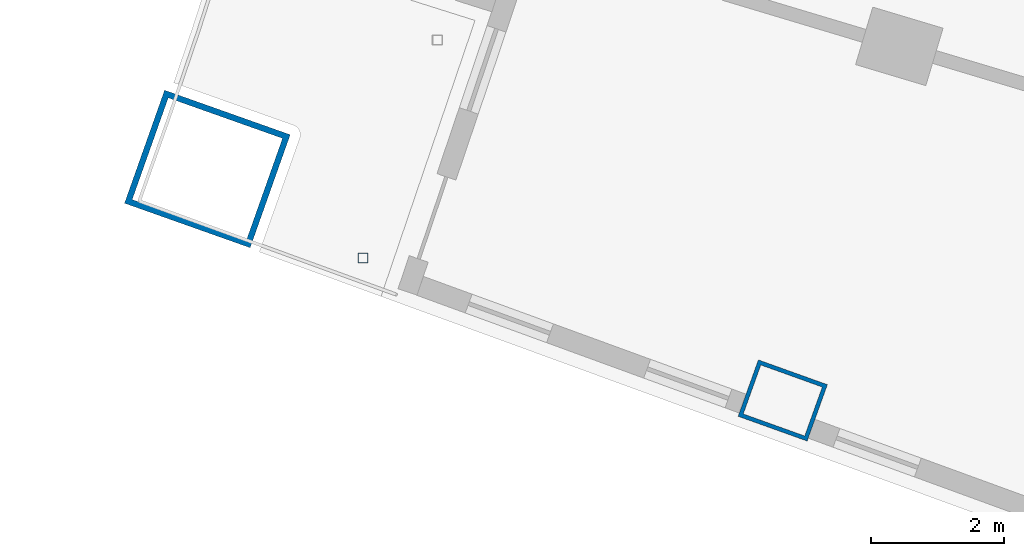
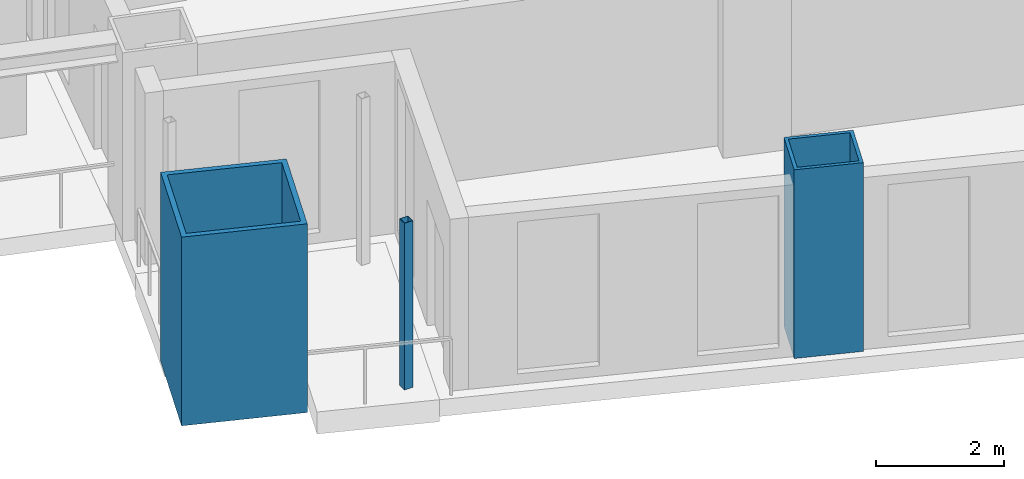
# One storey, part 1 of 24: 3 columns.
"""IFC4 building model written with IfcOpenShell, lengths in metres."""

from ifc_helpers import new_model, si_unit, direction, frame, origin, origin_2d, place, context, subcontext, project, spatial, hollow_rectangle, extrude, material, material_profile, profile_set, type_object, element, save


model = new_model("IFC4")

# Units and contexts
model_context = context("Model", 3, precision=1e-05, world=origin(), true_north=direction((0.0, 1.0)))
body_context = subcontext(model_context, "Body", "Model", "MODEL_VIEW")
ifc_project = project(units=[si_unit("LENGTHUNIT", "METRE"), si_unit("AREAUNIT", "SQUARE_METRE"), si_unit("VOLUMEUNIT", "CUBIC_METRE"), si_unit("PLANEANGLEUNIT", "RADIAN"), si_unit("MASSUNIT", "GRAM", prefix="KILO")], contexts=[model_context])

# Site, building, storey
site_placement = place(None, origin())
site = spatial("IfcSite", under=ifc_project, at=site_placement, CompositionType="ELEMENT")
building_placement = place(site_placement, origin())
building = spatial("IfcBuilding", under=site, at=building_placement, Name="Alderwake Tower", CompositionType="ELEMENT")
storey_placement = place(building_placement, frame((0.0, 0.0, 39.199951171875)))
storey = spatial("IfcBuildingStorey", under=building, at=storey_placement, Name="L08", CompositionType="ELEMENT", Elevation=39.199951171875)

# Columns
ifc_material_1 = material(Name="Steel ASTM A572 Grade 50 concrete filled C70/85", Category="concrete")
ifc_material_profile_1 = material_profile(ifc_material_1, hollow_rectangle(XDim=0.89990234375, YDim=1.10009765625, WallThickness=0.06005859375, at=origin_2d()), Name="BOX 1100X900X60")
ifc_profile_set_1 = profile_set([ifc_material_profile_1], Name="Steel ASTM A572 Grade 50 concrete filled C70/85")
column_type_1 = type_object("IfcColumnType", Name="End column Z1", PredefinedType="COLUMN", material=ifc_profile_set_1)
column_1_placement = place(storey_placement, frame((19.965576171875, 25.1484375, 0.0), z_axis=(0.0, 0.0, 1.0), x_axis=(0.337584879279, 0.9412950915, 0.0)))
element("IfcColumn", 1, at=column_1_placement, inside=storey, type_object=column_type_1, Name="Column R01-C1", PredefinedType="COLUMN", context=body_context, shape_type="SweptSolid", body=[
    extrude(hollow_rectangle(XDim=0.89990234375, YDim=1.10009765625, WallThickness=0.06005859375, at=origin_2d()), origin(), (0.0, 0.0, 1.0), 3.60009765625),
])
ifc_material_2 = material(Name="Steel ASTM A500 Grade C", Category="steel")
ifc_material_profile_2 = material_profile(ifc_material_2, hollow_rectangle(XDim=0.15234375, YDim=0.15234375, WallThickness=0.0087890625, at=origin_2d()), Name="HSS6X6X3/8")
ifc_profile_set_2 = profile_set([ifc_material_profile_2], Name="Steel ASTM A500 Grade C")
column_type_2 = type_object("IfcColumnType", Name="Light post HSS6X6X3/8", PredefinedType="COLUMN", material=ifc_profile_set_2)
column_2_placement = place(storey_placement, frame((13.66796875, 27.28759765625, 0.0), z_axis=(0.0, 0.0, 1.0), x_axis=(1.0, 0.0, 0.0)))
element("IfcColumn", 2, at=column_2_placement, inside=storey, type_object=column_type_2, Name="Terrace post RS2", PredefinedType="COLUMN", context=body_context, shape_type="SweptSolid", body=[
    extrude(hollow_rectangle(XDim=0.15234375, YDim=0.15234375, WallThickness=0.0087890625, at=origin_2d()), origin(), (0.0, 0.0, 1.0), 3.179931640625),
])
ifc_material_3 = material(Name="Steel ASTM A572 Grade 50 concrete filled C70/85", Category="concrete")
ifc_material_profile_3 = material_profile(ifc_material_3, hollow_rectangle(XDim=1.800048828125, YDim=2.0, WallThickness=0.090087890625, at=origin_2d()), Name="BOX 2000X1800X90")
ifc_profile_set_3 = profile_set([ifc_material_profile_3], Name="Steel ASTM A572 Grade 50 concrete filled C70/85")
column_type_3 = type_object("IfcColumnType", Name="Mega column Z1", PredefinedType="COLUMN", material=ifc_profile_set_3)
column_3_placement = place(storey_placement, frame((11.330810546875, 28.622802734375, 0.0), z_axis=(0.0, 0.0, 1.0), x_axis=(0.334130947791, 0.942526662609, 0.0)))
element("IfcColumn", 3, at=column_3_placement, inside=storey, type_object=column_type_3, Name="Column R01-C0", PredefinedType="COLUMN", context=body_context, shape_type="SweptSolid", body=[
    extrude(hollow_rectangle(XDim=1.800048828125, YDim=2.0, WallThickness=0.090087890625, at=origin_2d()), origin(), (0.0, 0.0, 1.0), 3.60009765625),
])

save(model, "model.ifc")
